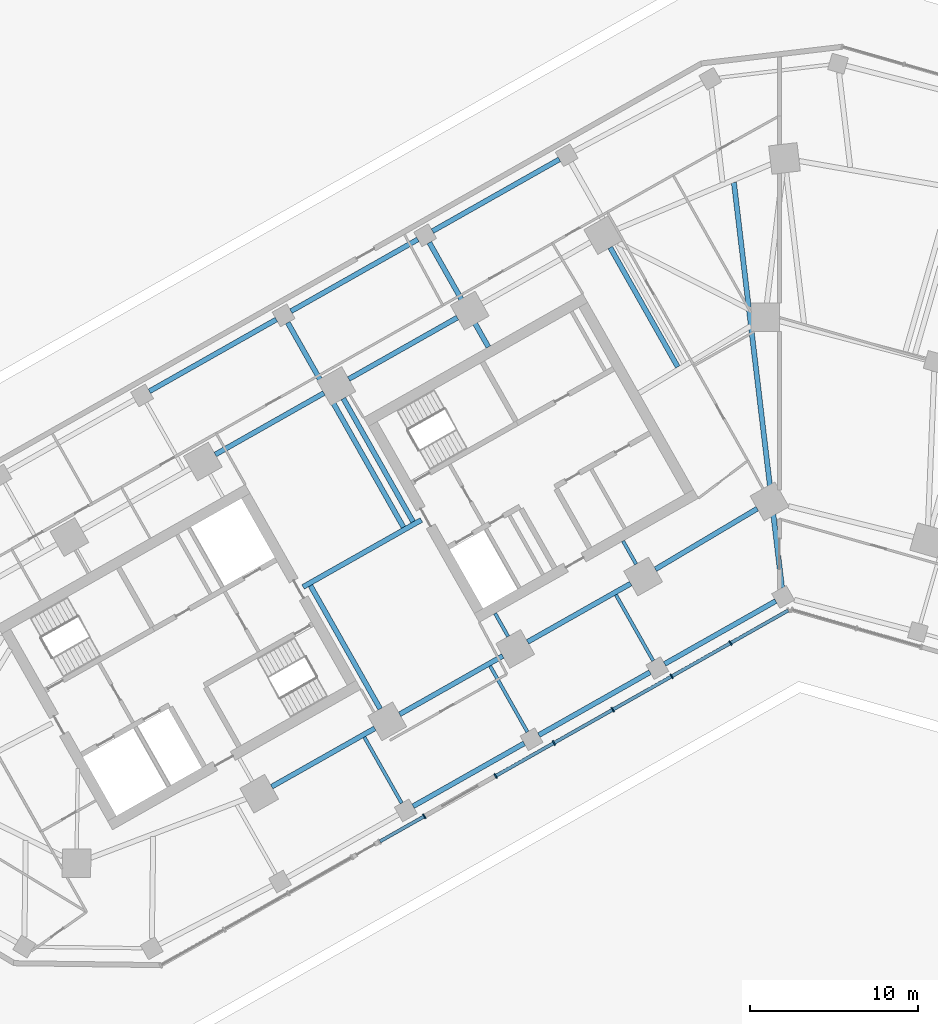
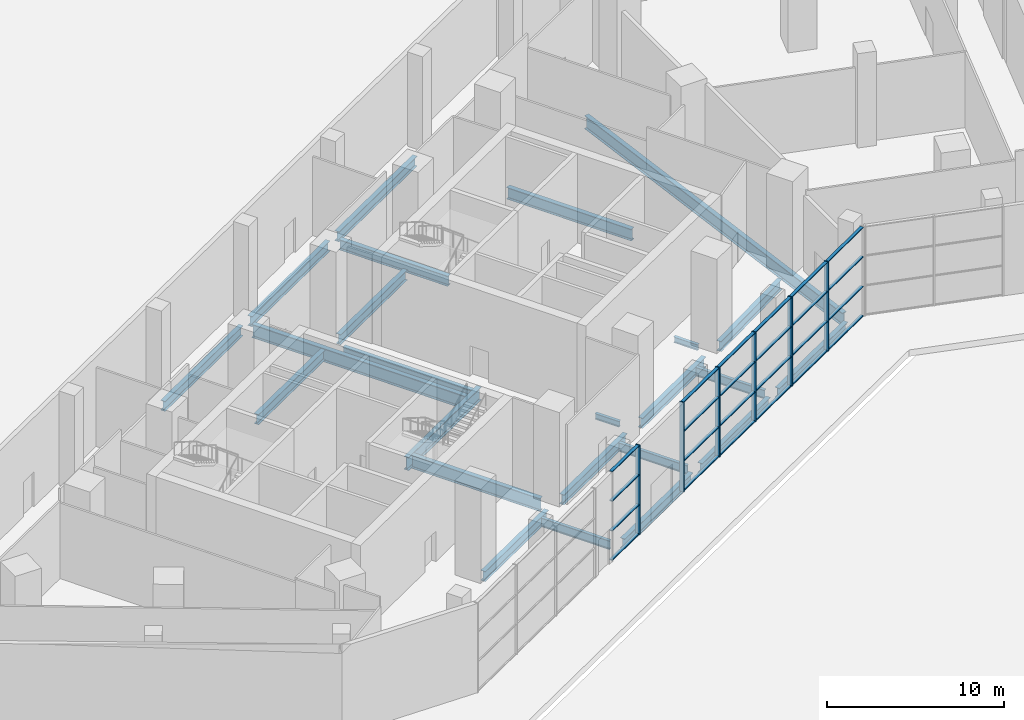
# One storey, part 4 of 22: 30 members, 24 beams, 2 elements without a shape of their own.
"""IFC4 building model written with IfcOpenShell, lengths in metres."""

from ifc_helpers import new_model, si_unit, direction, frame, origin, origin_2d, place, context, subcontext, project, spatial, rectangle, i_section, extrude, material, material_profile, profile_set, type_object, element, aggregate, save


model = new_model("IFC4")

# Units and contexts
model_context = context("Model", 3, precision=1e-05, world=origin(), true_north=direction((0.0, 1.0)))
body_context = subcontext(model_context, "Body", "Model", "MODEL_VIEW")
ifc_project = project(units=[si_unit("LENGTHUNIT", "METRE"), si_unit("AREAUNIT", "SQUARE_METRE"), si_unit("VOLUMEUNIT", "CUBIC_METRE"), si_unit("PLANEANGLEUNIT", "RADIAN"), si_unit("MASSUNIT", "GRAM", prefix="KILO")], contexts=[model_context])

# Site, building, storey
site_placement = place(None, origin())
site = spatial("IfcSite", under=ifc_project, at=site_placement, CompositionType="ELEMENT")
building_placement = place(site_placement, origin())
building = spatial("IfcBuilding", under=site, at=building_placement, Name="Binnacle Exchange Tower", CompositionType="ELEMENT")
storey_placement = place(building_placement, origin())
storey = spatial("IfcBuildingStorey", under=building, at=storey_placement, Name="L00", CompositionType="ELEMENT", Elevation=0.0)

# Curtain wall, member
ifc_material_1 = material(Name="Bronze anodised aluminium frame", Category="aluminium")
curtain_wall_type = type_object("IfcCurtainWallType", Name="External wall - curtain wall waterfront lobby", PredefinedType="NOTDEFINED", material=ifc_material_1)
curtain_wall_1_placement = place(storey_placement, origin())
curtain_wall_1 = element("IfcCurtainWall", 1, at=curtain_wall_1_placement, inside=storey, type_object=curtain_wall_type, Name="External wall curtain wall CW1-P06-2 L00", PredefinedType="NOTDEFINED")
ifc_material_profile_1 = material_profile(ifc_material_1, rectangle(XDim=0.300048828125, YDim=0.080078125, at=origin_2d()), Name="AL 80x300")
ifc_profile_set_1 = profile_set([ifc_material_profile_1], Name="Bronze anodised aluminium frame")
member_type_1 = type_object("IfcMemberType", Name="CW1 MULLION 80x300", PredefinedType="MULLION", material=ifc_profile_set_1)
member_1_placement = place(storey_placement, frame((-21.147216796875, 30.29052734375, 0.0), z_axis=(0.0, 0.0, 1.0), x_axis=(-0.492423762867, 0.870355581222, 0.0)))
member_1 = element("IfcMember", 2, at=member_1_placement, type_object=member_type_1, Name="CW1-P06-2 mullion 2", PredefinedType="MULLION", context=body_context, shape_type="SweptSolid", body=[
    extrude(rectangle(XDim=0.300048828125, YDim=0.080078125, at=origin_2d()), origin(), (0.0, 0.0, 1.0), 6.14990234375),
])

# Curtain wall, members
curtain_wall_2_placement = place(storey_placement, origin())
curtain_wall_2 = element("IfcCurtainWall", 3, at=curtain_wall_2_placement, inside=storey, type_object=curtain_wall_type, Name="External wall curtain wall CW1-P06-3 L00", PredefinedType="NOTDEFINED")
member_2_placement = place(storey_placement, frame((-16.89990234375, 32.693603515625, 0.0), z_axis=(0.0, 0.0, 1.0), x_axis=(-0.492423763004, 0.870355581144, 0.0)))
member_2 = element("IfcMember", 4, at=member_2_placement, type_object=member_type_1, Name="CW1-P06-3 mullion 1", PredefinedType="MULLION", context=body_context, shape_type="SweptSolid", body=[
    extrude(rectangle(XDim=0.300048828125, YDim=0.080078125, at=origin_2d()), origin(), (0.0, 0.0, 1.0), 6.14990234375),
])
member_3_placement = place(storey_placement, frame((-13.429443359375, 34.6572265625, 0.0), z_axis=(0.0, 0.0, 1.0), x_axis=(-0.492423763004, 0.870355581144, 0.0)))
member_3 = element("IfcMember", 5, at=member_3_placement, type_object=member_type_1, Name="CW1-P06-3 mullion 2", PredefinedType="MULLION", context=body_context, shape_type="SweptSolid", body=[
    extrude(rectangle(XDim=0.300048828125, YDim=0.080078125, at=origin_2d()), origin(), (0.0, 0.0, 1.0), 6.14990234375),
])
member_4_placement = place(storey_placement, frame((-9.924072265625, 36.640380859375, 0.0), z_axis=(0.0, 0.0, 1.0), x_axis=(-0.492423763004, 0.870355581144, 0.0)))
member_4 = element("IfcMember", 6, at=member_4_placement, type_object=member_type_1, Name="CW1-P06-3 mullion 3", PredefinedType="MULLION", context=body_context, shape_type="SweptSolid", body=[
    extrude(rectangle(XDim=0.300048828125, YDim=0.080078125, at=origin_2d()), origin(), (0.0, 0.0, 1.0), 6.14990234375),
])
member_5_placement = place(storey_placement, frame((-6.4189453125, 38.62353515625, 0.0), z_axis=(0.0, 0.0, 1.0), x_axis=(-0.492423763004, 0.870355581144, 0.0)))
member_5 = element("IfcMember", 7, at=member_5_placement, type_object=member_type_1, Name="CW1-P06-3 mullion 4", PredefinedType="MULLION", context=body_context, shape_type="SweptSolid", body=[
    extrude(rectangle(XDim=0.300048828125, YDim=0.080078125, at=origin_2d()), origin(), (0.0, 0.0, 1.0), 6.14990234375),
])
member_6_placement = place(storey_placement, frame((-2.91357421875, 40.606689453125, 0.0), z_axis=(0.0, 0.0, 1.0), x_axis=(-0.492423763004, 0.870355581144, 0.0)))
member_6 = element("IfcMember", 8, at=member_6_placement, type_object=member_type_1, Name="CW1-P06-3 mullion 5", PredefinedType="MULLION", context=body_context, shape_type="SweptSolid", body=[
    extrude(rectangle(XDim=0.300048828125, YDim=0.080078125, at=origin_2d()), origin(), (0.0, 0.0, 1.0), 6.14990234375),
])

# Member
ifc_material_profile_2 = material_profile(ifc_material_1, rectangle(XDim=0.199951171875, YDim=0.06005859375, at=origin_2d()), Name="AL 200x60")
ifc_profile_set_2 = profile_set([ifc_material_profile_2], Name="Bronze anodised aluminium frame")
member_type_2 = type_object("IfcMemberType", Name="CW1 TRANSOM 60x200", PredefinedType="USERDEFINED", material=ifc_profile_set_2)
member_7_placement = place(storey_placement, frame((-23.7880859375, 28.796630859375, 0.030029296875), z_axis=(0.87035774501, 0.492419938366, 0.0), x_axis=(-0.492419938366, 0.87035774501, 0.0)))
member_7 = element("IfcMember", 9, at=member_7_placement, type_object=member_type_2, Name="CW1-P06-2 transom 1.1", ObjectType="TRANSOM", PredefinedType="USERDEFINED", context=body_context, shape_type="SweptSolid", body=[
    extrude(rectangle(XDim=0.199951171875, YDim=0.06005859375, at=origin_2d()), origin(), (0.0, 0.0, 1.0), 2.994140625),
])

member_8_placement = place(storey_placement, frame((-23.7880859375, 28.796630859375, 2.050048828125), z_axis=(0.87035774501, 0.492419938366, 0.0), x_axis=(-0.492419938366, 0.87035774501, 0.0)))
member_8 = element("IfcMember", 10, at=member_8_placement, type_object=member_type_2, Name="CW1-P06-2 transom 1.2", ObjectType="TRANSOM", PredefinedType="USERDEFINED", context=body_context, shape_type="SweptSolid", body=[
    extrude(rectangle(XDim=0.199951171875, YDim=0.06005859375, at=origin_2d()), origin(), (0.0, 0.0, 1.0), 2.994140625),
])

member_9_placement = place(storey_placement, frame((-23.7880859375, 28.796630859375, 4.10009765625), z_axis=(0.87035774501, 0.492419938366, 0.0), x_axis=(-0.492419938366, 0.87035774501, 0.0)))
member_9 = element("IfcMember", 11, at=member_9_placement, type_object=member_type_2, Name="CW1-P06-2 transom 1.3", ObjectType="TRANSOM", PredefinedType="USERDEFINED", context=body_context, shape_type="SweptSolid", body=[
    extrude(rectangle(XDim=0.199951171875, YDim=0.06005859375, at=origin_2d()), origin(), (0.0, 0.0, 1.0), 2.994140625),
])

member_10_placement = place(storey_placement, frame((-23.7880859375, 28.796630859375, 6.1201171875), z_axis=(0.87035774501, 0.492419938366, 0.0), x_axis=(-0.492419938366, 0.87035774501, 0.0)))
member_10 = element("IfcMember", 12, at=member_10_placement, type_object=member_type_2, Name="CW1-P06-2 transom 1.4", ObjectType="TRANSOM", PredefinedType="USERDEFINED", context=body_context, shape_type="SweptSolid", body=[
    extrude(rectangle(XDim=0.199951171875, YDim=0.06005859375, at=origin_2d()), origin(), (0.0, 0.0, 1.0), 2.994140625),
])

aggregate(curtain_wall_1, [member_1, member_7, member_8, member_9, member_10])

member_11_placement = place(storey_placement, frame((-16.864990234375, 32.71337890625, 0.030029296875), z_axis=(0.870346296796, 0.492440172665, 0.0), x_axis=(-0.492440172665, 0.870346296796, 0.0)))
member_11 = element("IfcMember", 13, at=member_11_placement, type_object=member_type_2, Name="CW1-P06-3 transom 1.1", ObjectType="TRANSOM", PredefinedType="USERDEFINED", context=body_context, shape_type="SweptSolid", body=[
    extrude(rectangle(XDim=0.199951171875, YDim=0.06005859375, at=origin_2d()), origin(), (0.0, 0.0, 1.0), 3.9072265625),
])

member_12_placement = place(storey_placement, frame((-16.864990234375, 32.71337890625, 2.050048828125), z_axis=(0.870346296796, 0.492440172665, 0.0), x_axis=(-0.492440172665, 0.870346296796, 0.0)))
member_12 = element("IfcMember", 14, at=member_12_placement, type_object=member_type_2, Name="CW1-P06-3 transom 1.2", ObjectType="TRANSOM", PredefinedType="USERDEFINED", context=body_context, shape_type="SweptSolid", body=[
    extrude(rectangle(XDim=0.199951171875, YDim=0.06005859375, at=origin_2d()), origin(), (0.0, 0.0, 1.0), 3.9072265625),
])

member_13_placement = place(storey_placement, frame((-16.864990234375, 32.71337890625, 4.10009765625), z_axis=(0.870346296796, 0.492440172665, 0.0), x_axis=(-0.492440172665, 0.870346296796, 0.0)))
member_13 = element("IfcMember", 15, at=member_13_placement, type_object=member_type_2, Name="CW1-P06-3 transom 1.3", ObjectType="TRANSOM", PredefinedType="USERDEFINED", context=body_context, shape_type="SweptSolid", body=[
    extrude(rectangle(XDim=0.199951171875, YDim=0.06005859375, at=origin_2d()), origin(), (0.0, 0.0, 1.0), 3.9072265625),
])

member_14_placement = place(storey_placement, frame((-16.864990234375, 32.71337890625, 6.1201171875), z_axis=(0.870346296796, 0.492440172665, 0.0), x_axis=(-0.492440172665, 0.870346296796, 0.0)))
member_14 = element("IfcMember", 16, at=member_14_placement, type_object=member_type_2, Name="CW1-P06-3 transom 1.4", ObjectType="TRANSOM", PredefinedType="USERDEFINED", context=body_context, shape_type="SweptSolid", body=[
    extrude(rectangle(XDim=0.199951171875, YDim=0.06005859375, at=origin_2d()), origin(), (0.0, 0.0, 1.0), 3.9072265625),
])

member_15_placement = place(storey_placement, frame((-13.39453125, 34.6767578125, 0.030029296875), z_axis=(0.870343887466, 0.492444430927, 0.0), x_axis=(-0.492444430927, 0.870343887466, 0.0)))
member_15 = element("IfcMember", 17, at=member_15_placement, type_object=member_type_2, Name="CW1-P06-3 transom 2.1", ObjectType="TRANSOM", PredefinedType="USERDEFINED", context=body_context, shape_type="SweptSolid", body=[
    extrude(rectangle(XDim=0.199951171875, YDim=0.06005859375, at=origin_2d()), origin(), (0.0, 0.0, 1.0), 3.947265625),
])

member_16_placement = place(storey_placement, frame((-13.39453125, 34.6767578125, 2.050048828125), z_axis=(0.870343887466, 0.492444430927, 0.0), x_axis=(-0.492444430927, 0.870343887466, 0.0)))
member_16 = element("IfcMember", 18, at=member_16_placement, type_object=member_type_2, Name="CW1-P06-3 transom 2.2", ObjectType="TRANSOM", PredefinedType="USERDEFINED", context=body_context, shape_type="SweptSolid", body=[
    extrude(rectangle(XDim=0.199951171875, YDim=0.06005859375, at=origin_2d()), origin(), (0.0, 0.0, 1.0), 3.947265625),
])

member_17_placement = place(storey_placement, frame((-13.39453125, 34.6767578125, 4.10009765625), z_axis=(0.870343887466, 0.492444430927, 0.0), x_axis=(-0.492444430927, 0.870343887466, 0.0)))
member_17 = element("IfcMember", 19, at=member_17_placement, type_object=member_type_2, Name="CW1-P06-3 transom 2.3", ObjectType="TRANSOM", PredefinedType="USERDEFINED", context=body_context, shape_type="SweptSolid", body=[
    extrude(rectangle(XDim=0.199951171875, YDim=0.06005859375, at=origin_2d()), origin(), (0.0, 0.0, 1.0), 3.947265625),
])

member_18_placement = place(storey_placement, frame((-13.39453125, 34.6767578125, 6.1201171875), z_axis=(0.870343887466, 0.492444430927, 0.0), x_axis=(-0.492444430927, 0.870343887466, 0.0)))
member_18 = element("IfcMember", 20, at=member_18_placement, type_object=member_type_2, Name="CW1-P06-3 transom 2.4", ObjectType="TRANSOM", PredefinedType="USERDEFINED", context=body_context, shape_type="SweptSolid", body=[
    extrude(rectangle(XDim=0.199951171875, YDim=0.06005859375, at=origin_2d()), origin(), (0.0, 0.0, 1.0), 3.947265625),
])

member_19_placement = place(storey_placement, frame((-9.889404296875, 36.66015625, 0.030029296875), z_axis=(0.870385390341, 0.492371071734, 0.0), x_axis=(-0.492371071734, 0.870385390341, 0.0)))
member_19 = element("IfcMember", 21, at=member_19_placement, type_object=member_type_2, Name="CW1-P06-3 transom 3.1", ObjectType="TRANSOM", PredefinedType="USERDEFINED", context=body_context, shape_type="SweptSolid", body=[
    extrude(rectangle(XDim=0.199951171875, YDim=0.06005859375, at=origin_2d()), origin(), (0.0, 0.0, 1.0), 3.947509765625),
])

member_20_placement = place(storey_placement, frame((-9.889404296875, 36.66015625, 2.050048828125), z_axis=(0.870385390341, 0.492371071734, 0.0), x_axis=(-0.492371071734, 0.870385390341, 0.0)))
member_20 = element("IfcMember", 22, at=member_20_placement, type_object=member_type_2, Name="CW1-P06-3 transom 3.2", ObjectType="TRANSOM", PredefinedType="USERDEFINED", context=body_context, shape_type="SweptSolid", body=[
    extrude(rectangle(XDim=0.199951171875, YDim=0.06005859375, at=origin_2d()), origin(), (0.0, 0.0, 1.0), 3.947509765625),
])

member_21_placement = place(storey_placement, frame((-9.889404296875, 36.66015625, 4.10009765625), z_axis=(0.870385390341, 0.492371071734, 0.0), x_axis=(-0.492371071734, 0.870385390341, 0.0)))
member_21 = element("IfcMember", 23, at=member_21_placement, type_object=member_type_2, Name="CW1-P06-3 transom 3.3", ObjectType="TRANSOM", PredefinedType="USERDEFINED", context=body_context, shape_type="SweptSolid", body=[
    extrude(rectangle(XDim=0.199951171875, YDim=0.06005859375, at=origin_2d()), origin(), (0.0, 0.0, 1.0), 3.947509765625),
])

member_22_placement = place(storey_placement, frame((-9.889404296875, 36.66015625, 6.1201171875), z_axis=(0.870385390341, 0.492371071734, 0.0), x_axis=(-0.492371071734, 0.870385390341, 0.0)))
member_22 = element("IfcMember", 24, at=member_22_placement, type_object=member_type_2, Name="CW1-P06-3 transom 3.4", ObjectType="TRANSOM", PredefinedType="USERDEFINED", context=body_context, shape_type="SweptSolid", body=[
    extrude(rectangle(XDim=0.199951171875, YDim=0.06005859375, at=origin_2d()), origin(), (0.0, 0.0, 1.0), 3.947509765625),
])

member_23_placement = place(storey_placement, frame((-6.384033203125, 38.643310546875, 0.030029296875), z_axis=(0.870370395391, 0.492397578007, 0.0), x_axis=(-0.492397578007, 0.870370395391, 0.0)))
member_23 = element("IfcMember", 25, at=member_23_placement, type_object=member_type_2, Name="CW1-P06-3 transom 4.1", ObjectType="TRANSOM", PredefinedType="USERDEFINED", context=body_context, shape_type="SweptSolid", body=[
    extrude(rectangle(XDim=0.199951171875, YDim=0.06005859375, at=origin_2d()), origin(), (0.0, 0.0, 1.0), 3.947265625),
])

member_24_placement = place(storey_placement, frame((-6.384033203125, 38.643310546875, 2.050048828125), z_axis=(0.870370395391, 0.492397578007, 0.0), x_axis=(-0.492397578007, 0.870370395391, 0.0)))
member_24 = element("IfcMember", 26, at=member_24_placement, type_object=member_type_2, Name="CW1-P06-3 transom 4.2", ObjectType="TRANSOM", PredefinedType="USERDEFINED", context=body_context, shape_type="SweptSolid", body=[
    extrude(rectangle(XDim=0.199951171875, YDim=0.06005859375, at=origin_2d()), origin(), (0.0, 0.0, 1.0), 3.947265625),
])

member_25_placement = place(storey_placement, frame((-6.384033203125, 38.643310546875, 4.10009765625), z_axis=(0.870370395391, 0.492397578007, 0.0), x_axis=(-0.492397578007, 0.870370395391, 0.0)))
member_25 = element("IfcMember", 27, at=member_25_placement, type_object=member_type_2, Name="CW1-P06-3 transom 4.3", ObjectType="TRANSOM", PredefinedType="USERDEFINED", context=body_context, shape_type="SweptSolid", body=[
    extrude(rectangle(XDim=0.199951171875, YDim=0.06005859375, at=origin_2d()), origin(), (0.0, 0.0, 1.0), 3.947265625),
])

member_26_placement = place(storey_placement, frame((-6.384033203125, 38.643310546875, 6.1201171875), z_axis=(0.870370395391, 0.492397578007, 0.0), x_axis=(-0.492397578007, 0.870370395391, 0.0)))
member_26 = element("IfcMember", 28, at=member_26_placement, type_object=member_type_2, Name="CW1-P06-3 transom 4.4", ObjectType="TRANSOM", PredefinedType="USERDEFINED", context=body_context, shape_type="SweptSolid", body=[
    extrude(rectangle(XDim=0.199951171875, YDim=0.06005859375, at=origin_2d()), origin(), (0.0, 0.0, 1.0), 3.947265625),
])

member_27_placement = place(storey_placement, frame((-2.87890625, 40.62646484375, 0.030029296875), z_axis=(0.870361447878, 0.492413393448, 0.0), x_axis=(-0.492413393448, 0.870361447878, 0.0)))
member_27 = element("IfcMember", 29, at=member_27_placement, type_object=member_type_2, Name="CW1-P06-3 transom 5.1", ObjectType="TRANSOM", PredefinedType="USERDEFINED", context=body_context, shape_type="SweptSolid", body=[
    extrude(rectangle(XDim=0.199951171875, YDim=0.06005859375, at=origin_2d()), origin(), (0.0, 0.0, 1.0), 3.907470703125),
])

member_28_placement = place(storey_placement, frame((-2.87890625, 40.62646484375, 2.050048828125), z_axis=(0.870361447878, 0.492413393448, 0.0), x_axis=(-0.492413393448, 0.870361447878, 0.0)))
member_28 = element("IfcMember", 30, at=member_28_placement, type_object=member_type_2, Name="CW1-P06-3 transom 5.2", ObjectType="TRANSOM", PredefinedType="USERDEFINED", context=body_context, shape_type="SweptSolid", body=[
    extrude(rectangle(XDim=0.199951171875, YDim=0.06005859375, at=origin_2d()), origin(), (0.0, 0.0, 1.0), 3.907470703125),
])

member_29_placement = place(storey_placement, frame((-2.87890625, 40.62646484375, 4.10009765625), z_axis=(0.870361447878, 0.492413393448, 0.0), x_axis=(-0.492413393448, 0.870361447878, 0.0)))
member_29 = element("IfcMember", 31, at=member_29_placement, type_object=member_type_2, Name="CW1-P06-3 transom 5.3", ObjectType="TRANSOM", PredefinedType="USERDEFINED", context=body_context, shape_type="SweptSolid", body=[
    extrude(rectangle(XDim=0.199951171875, YDim=0.06005859375, at=origin_2d()), origin(), (0.0, 0.0, 1.0), 3.907470703125),
])

member_30_placement = place(storey_placement, frame((-2.87890625, 40.62646484375, 6.1201171875), z_axis=(0.870361447878, 0.492413393448, 0.0), x_axis=(-0.492413393448, 0.870361447878, 0.0)))
member_30 = element("IfcMember", 32, at=member_30_placement, type_object=member_type_2, Name="CW1-P06-3 transom 5.4", ObjectType="TRANSOM", PredefinedType="USERDEFINED", context=body_context, shape_type="SweptSolid", body=[
    extrude(rectangle(XDim=0.199951171875, YDim=0.06005859375, at=origin_2d()), origin(), (0.0, 0.0, 1.0), 3.907470703125),
])

aggregate(curtain_wall_2, [member_2, member_3, member_4, member_5, member_6, member_11, member_12, member_13, member_14, member_15, member_16, member_17, member_18, member_19, member_20, member_21, member_22, member_23, member_24, member_25, member_26, member_27, member_28, member_29, member_30])

# Beams
ifc_material_2 = material(Name="Steel S355 (SHN355)", Category="steel")
ifc_material_profile_3 = material_profile(ifc_material_2, i_section(OverallWidth=0.300048828125, OverallDepth=0.699951171875, WebThickness=0.012939453125, FlangeThickness=0.02392578125, FilletRadius=0.028076171875, at=origin_2d()), Name="H 700x300x13x24")
ifc_profile_set_3 = profile_set([ifc_material_profile_3], Name="Steel S355 (SHN355)")
beam_type_1 = type_object("IfcBeamType", Name="Edge girder H 700x300x13x24 Steel S355 (SHN355)", PredefinedType="SPANDREL", material=ifc_profile_set_3)
beam_1_placement = place(storey_placement, frame((-37.517333984375, 55.59912109375, -0.800048828125), z_axis=(0.870339162406, 0.492452781881, 0.0), x_axis=(-0.492452781881, 0.870339162406, 0.0)))
element("IfcBeam", 33, at=beam_1_placement, inside=storey, type_object=beam_type_1, Name="S:BM:edge:L00:026", PredefinedType="SPANDREL", context=body_context, shape_type="SweptSolid", body=[
    extrude(i_section(OverallWidth=0.300048828125, OverallDepth=0.699951171875, WebThickness=0.012939453125, FlangeThickness=0.02392578125, FilletRadius=0.028076171875, at=origin_2d()), origin(), (0.0, 0.0, 1.0), 8.683837890625),
])
beam_2_placement = place(storey_placement, frame((-30.23583984375, 32.053955078125, -0.800048828125), z_axis=(0.870373276953, 0.492392484473, 0.0), x_axis=(-0.492392484473, 0.870373276953, 0.0)))
element("IfcBeam", 34, at=beam_2_placement, inside=storey, type_object=beam_type_1, Name="S:BM:edge:L00:028", PredefinedType="SPANDREL", context=body_context, shape_type="SweptSolid", body=[
    extrude(i_section(OverallWidth=0.300048828125, OverallDepth=0.699951171875, WebThickness=0.012939453125, FlangeThickness=0.02392578125, FilletRadius=0.028076171875, at=origin_2d()), origin(), (0.0, 0.0, 1.0), 7.0546875),
])
beam_3_placement = place(storey_placement, frame((-29.089111328125, 60.367919921875, -0.800048828125), z_axis=(0.870358029477, 0.492419435567, 0.0), x_axis=(-0.492419435567, 0.870358029477, 0.0)))
element("IfcBeam", 35, at=beam_3_placement, inside=storey, type_object=beam_type_1, Name="S:BM:edge:L00:030", PredefinedType="SPANDREL", context=body_context, shape_type="SweptSolid", body=[
    extrude(i_section(OverallWidth=0.300048828125, OverallDepth=0.699951171875, WebThickness=0.012939453125, FlangeThickness=0.02392578125, FilletRadius=0.028076171875, at=origin_2d()), origin(), (0.0, 0.0, 1.0), 8.683837890625),
])
beam_4_placement = place(storey_placement, frame((-27.12744140625, 55.49169921875, -0.800048828125), z_axis=(-0.870350394687, -0.492432929919, 0.0), x_axis=(0.492432929919, -0.870350394687, 0.0)))
element("IfcBeam", 36, at=beam_4_placement, inside=storey, type_object=beam_type_1, Name="S:BM:edge:L00:031", PredefinedType="SPANDREL", context=body_context, shape_type="SweptSolid", body=[
    extrude(i_section(OverallWidth=0.300048828125, OverallDepth=0.699951171875, WebThickness=0.012939453125, FlangeThickness=0.02392578125, FilletRadius=0.028076171875, at=origin_2d()), origin(), (0.0, 0.0, 1.0), 7.429931640625),
])
beam_5_placement = place(storey_placement, frame((-22.6162109375, 36.36474609375, -0.800048828125), z_axis=(0.870350053651, 0.492433532681, 0.0), x_axis=(-0.492433532681, 0.870350053651, 0.0)))
element("IfcBeam", 37, at=beam_5_placement, inside=storey, type_object=beam_type_1, Name="S:BM:edge:L00:033", PredefinedType="SPANDREL", context=body_context, shape_type="SweptSolid", body=[
    extrude(i_section(OverallWidth=0.300048828125, OverallDepth=0.699951171875, WebThickness=0.012939453125, FlangeThickness=0.02392578125, FilletRadius=0.028076171875, at=origin_2d()), origin(), (0.0, 0.0, 1.0), 7.054443359375),
])
beam_6_placement = place(storey_placement, frame((-20.66064453125, 65.136474609375, -0.800048828125), z_axis=(0.870358029477, 0.492419435567, 0.0), x_axis=(-0.492419435567, 0.870358029477, 0.0)))
element("IfcBeam", 38, at=beam_6_placement, inside=storey, type_object=beam_type_1, Name="S:BM:edge:L00:034", PredefinedType="SPANDREL", context=body_context, shape_type="SweptSolid", body=[
    extrude(i_section(OverallWidth=0.300048828125, OverallDepth=0.699951171875, WebThickness=0.012939453125, FlangeThickness=0.02392578125, FilletRadius=0.028076171875, at=origin_2d()), origin(), (0.0, 0.0, 1.0), 8.683837890625),
])
beam_7_placement = place(storey_placement, frame((-19.18115234375, 59.9873046875, -0.800048828125), z_axis=(-0.870364477798, -0.492408037898, 0.0), x_axis=(0.492408037898, -0.870364477798, 0.0)))
element("IfcBeam", 39, at=beam_7_placement, inside=storey, type_object=beam_type_1, Name="S:BM:edge:L00:035", PredefinedType="SPANDREL", context=body_context, shape_type="SweptSolid", body=[
    extrude(i_section(OverallWidth=0.300048828125, OverallDepth=0.699951171875, WebThickness=0.012939453125, FlangeThickness=0.02392578125, FilletRadius=0.028076171875, at=origin_2d()), origin(), (0.0, 0.0, 1.0), 7.4296875),
])
beam_8_placement = place(storey_placement, frame((-15.1962890625, 34.63427734375, -0.800048828125), z_axis=(-0.870352907673, -0.492428488316, 0.0), x_axis=(0.492428488316, -0.870352907673, 0.0)))
element("IfcBeam", 40, at=beam_8_placement, inside=storey, type_object=beam_type_1, Name="S:BM:edge:L00:036", PredefinedType="SPANDREL", context=body_context, shape_type="SweptSolid", body=[
    extrude(i_section(OverallWidth=0.300048828125, OverallDepth=0.699951171875, WebThickness=0.012939453125, FlangeThickness=0.02392578125, FilletRadius=0.028076171875, at=origin_2d()), origin(), (0.0, 0.0, 1.0), 7.60546875),
])
beam_9_placement = place(storey_placement, frame((-14.99658203125, 40.67578125, -0.800048828125), z_axis=(0.870364886025, 0.492407316329, 0.0), x_axis=(-0.492407316329, 0.870364886025, 0.0)))
element("IfcBeam", 41, at=beam_9_placement, inside=storey, type_object=beam_type_1, Name="S:BM:edge:L00:037", PredefinedType="SPANDREL", context=body_context, shape_type="SweptSolid", body=[
    extrude(i_section(OverallWidth=0.300048828125, OverallDepth=0.699951171875, WebThickness=0.012939453125, FlangeThickness=0.02392578125, FilletRadius=0.028076171875, at=origin_2d()), origin(), (0.0, 0.0, 1.0), 7.054443359375),
])
beam_10_placement = place(storey_placement, frame((-7.706298828125, 38.871826171875, -0.800048828125), z_axis=(-0.870352907673, -0.492428488316, 0.0), x_axis=(0.492428488316, -0.870352907673, 0.0)))
element("IfcBeam", 42, at=beam_10_placement, inside=storey, type_object=beam_type_1, Name="S:BM:edge:L00:040", PredefinedType="SPANDREL", context=body_context, shape_type="SweptSolid", body=[
    extrude(i_section(OverallWidth=0.300048828125, OverallDepth=0.699951171875, WebThickness=0.012939453125, FlangeThickness=0.02392578125, FilletRadius=0.028076171875, at=origin_2d()), origin(), (0.0, 0.0, 1.0), 7.60546875),
])
beam_11_placement = place(storey_placement, frame((-7.38623046875, 45.002685546875, -0.800048828125), z_axis=(0.859464815262, 0.511194905419, 0.0), x_axis=(-0.511194905419, 0.859464815262, 0.0)))
element("IfcBeam", 43, at=beam_11_placement, inside=storey, type_object=beam_type_1, Name="S:BM:edge:L00:041", PredefinedType="SPANDREL", context=body_context, shape_type="SweptSolid", body=[
    extrude(i_section(OverallWidth=0.300048828125, OverallDepth=0.699951171875, WebThickness=0.012939453125, FlangeThickness=0.02392578125, FilletRadius=0.028076171875, at=origin_2d()), origin(), (0.0, 0.0, 1.0), 7.056396484375),
])
beam_12_placement = place(storey_placement, frame((-0.216552734375, 43.109375, -0.800048828125), z_axis=(-0.870352907673, -0.492428488316, 0.0), x_axis=(0.492428488316, -0.870352907673, 0.0)))
element("IfcBeam", 44, at=beam_12_placement, inside=storey, type_object=beam_type_1, Name="S:BM:edge:L00:044", PredefinedType="SPANDREL", context=body_context, shape_type="SweptSolid", body=[
    extrude(i_section(OverallWidth=0.300048828125, OverallDepth=0.699951171875, WebThickness=0.012939453125, FlangeThickness=0.02392578125, FilletRadius=0.028076171875, at=origin_2d()), origin(), (0.0, 0.0, 1.0), 7.60546875),
])
ifc_material_profile_4 = material_profile(ifc_material_2, i_section(OverallWidth=0.199951171875, OverallDepth=0.39990234375, WebThickness=0.008056640625, FlangeThickness=0.012939453125, FilletRadius=0.01611328125, at=origin_2d()), Name="H 400x200x8x13")
ifc_profile_set_4 = profile_set([ifc_material_profile_4], Name="Steel S355 (SHN355)")
beam_type_2 = type_object("IfcBeamType", Name="Floor beam H 400x200x8x13 Steel S355 (SHN355)", PredefinedType="BEAM", material=ifc_profile_set_4)
beam_13_placement = place(storey_placement, frame((-16.155029296875, 40.9970703125, -0.64990234375), z_axis=(-0.492366981934, 0.870387703901, 0.0), x_axis=(-0.870387703901, -0.492366981934, 0.0)))
element("IfcBeam", 45, at=beam_13_placement, inside=storey, type_object=beam_type_2, Name="S:BM:cross:L00:095", PredefinedType="BEAM", context=body_context, shape_type="SweptSolid", body=[
    extrude(i_section(OverallWidth=0.199951171875, OverallDepth=0.39990234375, WebThickness=0.008056640625, FlangeThickness=0.012939453125, FilletRadius=0.01611328125, at=origin_2d()), origin(), (0.0, 0.0, 1.0), 1.584228515625),
])
beam_14_placement = place(storey_placement, frame((-8.535400390625, 45.307861328125, -0.64990234375), z_axis=(-0.492483715062, 0.870321659158, 0.0), x_axis=(-0.870321659158, -0.492483715062, 0.0)))
element("IfcBeam", 46, at=beam_14_placement, inside=storey, type_object=beam_type_2, Name="S:BM:cross:L00:099", PredefinedType="BEAM", context=body_context, shape_type="SweptSolid", body=[
    extrude(i_section(OverallWidth=0.199951171875, OverallDepth=0.39990234375, WebThickness=0.008056640625, FlangeThickness=0.012939453125, FilletRadius=0.01611328125, at=origin_2d()), origin(), (0.0, 0.0, 1.0), 1.58447265625),
])
ifc_material_profile_5 = material_profile(ifc_material_2, i_section(OverallWidth=0.200927734375, OverallDepth=0.60595703125, WebThickness=0.011962890625, FlangeThickness=0.02001953125, FilletRadius=0.02197265625, at=origin_2d()), Name="H 606x201x12x20")
ifc_profile_set_5 = profile_set([ifc_material_profile_5], Name="Steel S355 (SHN355)")
beam_type_3 = type_object("IfcBeamType", Name="Floor beam H 606x201x12x20 Steel S355 (SHN355)", PredefinedType="BEAM", material=ifc_profile_set_5)
for number, where, z_axis, x_axis, name in (
    (47, (-22.4970703125, 31.078125, -0.7529296875), (-0.492403272389, 0.870367173864, 0.0), (-0.870367173864, -0.492403272389, 0.0), "S:BM:cross:L00:093"),
    (48, (-15.007080078125, 35.315673828125, -0.7529296875), (-0.4924442794, 0.8703439732, 0.0), (-0.8703439732, -0.4924442794, 0.0), "S:BM:cross:L00:096"),
    (49, (-7.517333984375, 39.55322265625, -0.7529296875), (-0.4924442794, 0.8703439732, 0.0), (-0.8703439732, -0.4924442794, 0.0), "S:BM:cross:L00:100"),
):
    element("IfcBeam", number, at=place(storey_placement, frame(where, z_axis=z_axis, x_axis=x_axis)), inside=storey, type_object=beam_type_3, Name=name, PredefinedType="BEAM", context=body_context, shape_type="SweptSolid", body=[
        extrude(i_section(OverallWidth=0.200927734375, OverallDepth=0.60595703125, WebThickness=0.011962890625, FlangeThickness=0.02001953125, FilletRadius=0.02197265625, at=origin_2d()), origin(), (0.0, 0.0, 1.0), 4.510009765625),
    ])
ifc_material_profile_6 = material_profile(ifc_material_2, i_section(OverallWidth=0.302001953125, OverallDepth=0.7080078125, WebThickness=0.014892578125, FlangeThickness=0.028076171875, FilletRadius=0.028076171875, at=origin_2d()), Name="H 708x302x15x28")
ifc_profile_set_6 = profile_set([ifc_material_profile_6], Name="Steel S355 (SHN355)")
beam_type_4 = type_object("IfcBeamType", Name="Floor beam H 708x302x15x28 Steel S355 (SHN355)", PredefinedType="BEAM", material=ifc_profile_set_6)
beam_15_placement = place(storey_placement, frame((-20.849609375, 64.455078125, -0.803955078125), z_axis=(0.492432183245, -0.870350817145, 0.0), x_axis=(0.870350817145, 0.492432183245, 0.0)))
element("IfcBeam", 50, at=beam_15_placement, inside=storey, type_object=beam_type_4, Name="S:BM:cross:L00:094", PredefinedType="BEAM", context=body_context, shape_type="SweptSolid", body=[
    extrude(i_section(OverallWidth=0.302001953125, OverallDepth=0.7080078125, WebThickness=0.014892578125, FlangeThickness=0.028076171875, FilletRadius=0.028076171875, at=origin_2d()), origin(), (0.0, 0.0, 1.0), 7.144287109375),
])
ifc_material_profile_7 = material_profile(ifc_material_2, i_section(OverallWidth=0.302001953125, OverallDepth=0.80810546875, WebThickness=0.01611328125, FlangeThickness=0.030029296875, FilletRadius=0.028076171875, at=origin_2d()), Name="H 808x302x16x30")
ifc_profile_set_7 = profile_set([ifc_material_profile_7], Name="Steel S355 (SHN355)")
beam_type_5 = type_object("IfcBeamType", Name="Floor beam H 808x302x16x30 Steel S355 (SHN355)", PredefinedType="BEAM", material=ifc_profile_set_7)
beam_16_placement = place(storey_placement, frame((-10.076416015625, 64.161865234375, -0.85400390625), z_axis=(0.492410737926, -0.870362950254, 0.0), x_axis=(0.870362950254, 0.492410737926, 0.0)))
element("IfcBeam", 51, at=beam_16_placement, inside=storey, type_object=beam_type_5, Name="S:BM:cross:L00:098", PredefinedType="BEAM", context=body_context, shape_type="SweptSolid", body=[
    extrude(i_section(OverallWidth=0.302001953125, OverallDepth=0.80810546875, WebThickness=0.01611328125, FlangeThickness=0.030029296875, FilletRadius=0.028076171875, at=origin_2d()), origin(), (0.0, 0.0, 1.0), 8.16943359375),
])
ifc_material_profile_8 = material_profile(ifc_material_2, i_section(OverallWidth=0.300048828125, OverallDepth=0.89990234375, WebThickness=0.01611328125, FlangeThickness=0.028076171875, FilletRadius=0.028076171875, at=origin_2d()), Name="H 900x300x16x28")
ifc_profile_set_8 = profile_set([ifc_material_profile_8], Name="Steel S355 (SHN355)")
beam_type_6 = type_object("IfcBeamType", Name="Floor beam H 900x300x16x28 Steel S355 (SHN355)", PredefinedType="BEAM", material=ifc_profile_set_8)
for number, where, z_axis, x_axis, name in (
    (52, (-25.968994140625, 55.17041015625, -0.89990234375), (0.492409177884, -0.870363832851, 0.0), (0.870363832851, 0.492409177884, 0.0), "S:BM:cross:L00:091"),
    (53, (-23.774658203125, 36.68603515625, -0.89990234375), (-0.492409177884, 0.870363832851, 0.0), (-0.870363832851, -0.492409177884, 0.0), "S:BM:cross:L00:092"),
):
    element("IfcBeam", number, at=place(storey_placement, frame(where, z_axis=z_axis, x_axis=x_axis)), inside=storey, type_object=beam_type_6, Name=name, PredefinedType="BEAM", context=body_context, shape_type="SweptSolid", body=[
        extrude(i_section(OverallWidth=0.300048828125, OverallDepth=0.89990234375, WebThickness=0.01611328125, FlangeThickness=0.028076171875, FilletRadius=0.028076171875, at=origin_2d()), origin(), (0.0, 0.0, 1.0), 8.43408203125),
    ])
ifc_material_profile_9 = material_profile(ifc_material_2, i_section(OverallWidth=0.302978515625, OverallDepth=0.91796875, WebThickness=0.01904296875, FlangeThickness=0.037109375, FilletRadius=0.028076171875, at=origin_2d()), Name="H 918x303x19x37")
ifc_profile_set_9 = profile_set([ifc_material_profile_9], Name="Steel S355 (SHN355)")
beam_type_7 = type_object("IfcBeamType", Name="Floor beam H 918x303x19x37 Steel S355 (SHN355)", PredefinedType="BEAM", material=ifc_profile_set_9)
beam_17_placement = place(storey_placement, frame((-29.278076171875, 59.686279296875, -0.908935546875), z_axis=(0.492433176399, -0.870350255232, 0.0), x_axis=(0.870350255232, 0.492433176399, 0.0)))
element("IfcBeam", 54, at=beam_17_placement, inside=storey, type_object=beam_type_7, Name="S:BM:cross:L00:090", PredefinedType="BEAM", context=body_context, shape_type="SweptSolid", body=[
    extrude(i_section(OverallWidth=0.302978515625, OverallDepth=0.91796875, WebThickness=0.01904296875, FlangeThickness=0.037109375, FilletRadius=0.028076171875, at=origin_2d()), origin(), (0.0, 0.0, 1.0), 13.993896484375),
])
beam_18_placement = place(storey_placement, frame((0.15478515625, 43.893798828125, -0.908935546875), z_axis=(-0.117868429999, 0.993029220723, 0.0), x_axis=(-0.993029220723, -0.117868429999, 0.0)))
element("IfcBeam", 55, at=beam_18_placement, inside=storey, type_object=beam_type_7, Name="S:BM:cross:L00:102", PredefinedType="BEAM", context=body_context, shape_type="SweptSolid", body=[
    extrude(i_section(OverallWidth=0.302978515625, OverallDepth=0.91796875, WebThickness=0.01904296875, FlangeThickness=0.037109375, FilletRadius=0.028076171875, at=origin_2d()), origin(), (0.0, 0.0, 1.0), 24.310791015625),
])
ifc_material_profile_10 = material_profile(ifc_material_2, i_section(OverallWidth=0.302978515625, OverallDepth=0.91796875, WebThickness=0.01904296875, FlangeThickness=0.037109375, FilletRadius=0.028076171875, at=origin_2d()), Name="H 918x303x19x37")
ifc_profile_set_10 = profile_set([ifc_material_profile_10], Name="Steel S355 (SHN355)")
beam_type_8 = type_object("IfcBeamType", Name="Spine girder H 918x303x19x37 Steel S355 (SHN355)", PredefinedType="BEAM", material=ifc_profile_set_10)
beam_19_placement = place(storey_placement, frame((-28.365478515625, 43.951416015625, -0.908935546875), z_axis=(0.870350319004, 0.492433063684, 0.0), x_axis=(-0.492433063684, 0.870350319004, 0.0)))
element("IfcBeam", 56, at=beam_19_placement, inside=storey, type_object=beam_type_8, Name="S:BM:spine:L00:002", PredefinedType="BEAM", context=body_context, shape_type="SweptSolid", body=[
    extrude(i_section(OverallWidth=0.302978515625, OverallDepth=0.91796875, WebThickness=0.01904296875, FlangeThickness=0.037109375, FilletRadius=0.028076171875, at=origin_2d()), origin(), (0.0, 0.0, 1.0), 8.0908203125),
])

save(model, "model.ifc")
